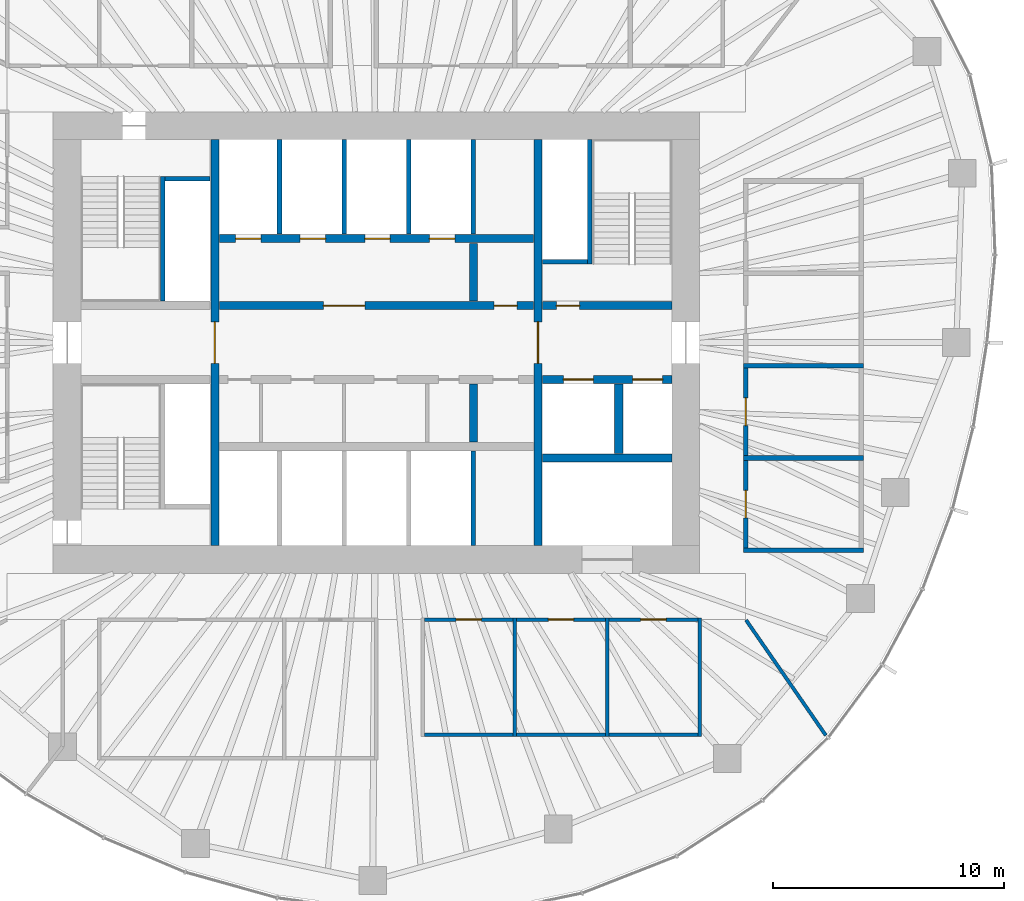
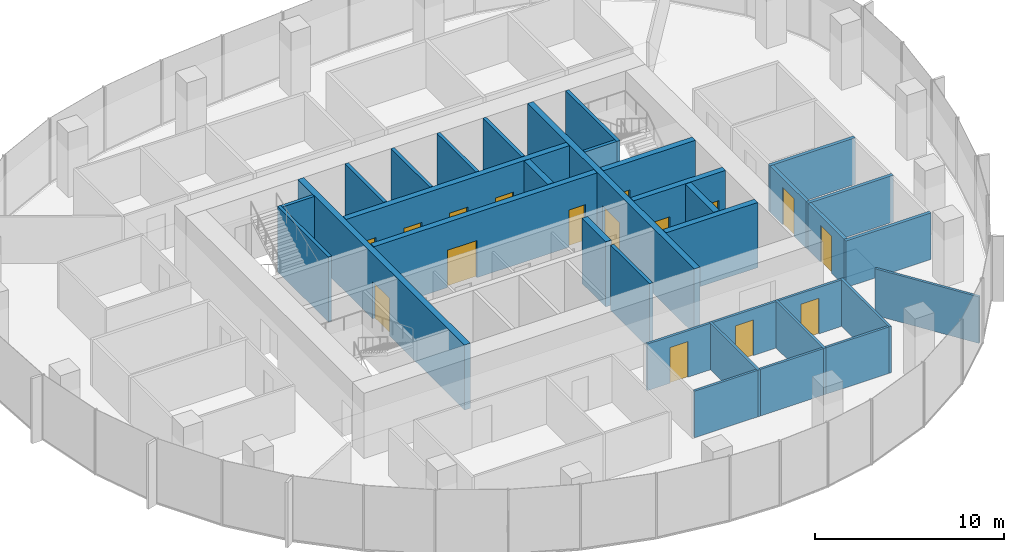
# One storey, part 9 of 12: 34 walls, 16 doors, 16 openings.
"""IFC4 building model written with IfcOpenShell, lengths in metres."""

from ifc_helpers import new_model, si_unit, direction, frame, frame_2d, origin, place, context, subcontext, project, spatial, rectangle, extrude, material, layer, layer_set, type_object, element, fill, save


model = new_model("IFC4")

# Units and contexts
model_context = context("Model", 3, precision=1e-05, world=origin(), true_north=direction((0.0, 1.0)))
body_context = subcontext(model_context, "Body", "Model", "MODEL_VIEW")
ifc_project = project(units=[si_unit("LENGTHUNIT", "METRE"), si_unit("AREAUNIT", "SQUARE_METRE"), si_unit("VOLUMEUNIT", "CUBIC_METRE"), si_unit("PLANEANGLEUNIT", "RADIAN"), si_unit("MASSUNIT", "GRAM", prefix="KILO")], contexts=[model_context])

# Site, building, storey
site_placement = place(None, origin())
site = spatial("IfcSite", under=ifc_project, at=site_placement, CompositionType="ELEMENT")
building_placement = place(site_placement, origin())
building = spatial("IfcBuilding", under=site, at=building_placement, Name="Ghaith Harvest Tower", CompositionType="ELEMENT")
storey_placement = place(building_placement, frame((0.0, 0.0, 232.60009765625)))
storey = spatial("IfcBuildingStorey", under=building, at=storey_placement, Name="L51", CompositionType="ELEMENT", Elevation=232.60009765625)

# Walls
ifc_material_1 = material(Name="Twin-stud gypsum board, acoustic", Category="gypsum")
ifc_layer_1 = layer(ifc_material_1, 0.199951171875)
ifc_layer_set_1 = layer_set([ifc_layer_1], Name="ACOUSTIC PARTITION 200")
wall_type_1 = type_object("IfcWallType", Name="ACOUSTIC PARTITION 200", PredefinedType="PARTITIONING", material=ifc_layer_set_1)
for number, where, z_axis, x_axis, name in (
    (1, (15.89990234375, -9.0, 0.0), (0.0, 0.0, 1.0), (1.0, 0.0, 0.0), "Partition L51 row E5 cross wall 1"),
    (2, (15.89990234375, -5.0, 0.0), (0.0, 0.0, 1.0), (1.0, 0.0, 0.0), "Partition L51 row E5 cross wall 2"),
    (3, (15.89990234375, -1.0, 0.0), (0.0, 0.0, 1.0), (1.0, 0.0, 0.0), "Partition L51 row E5 cross wall 3"),
):
    element("IfcWall", number, at=place(storey_placement, frame(where, z_axis=z_axis, x_axis=x_axis)), inside=storey, type_object=wall_type_1, Name=name, PredefinedType="PARTITIONING", context=body_context, shape_type="SweptSolid", body=[
        extrude(rectangle(XDim=5.2001953125, YDim=0.199951171875, at=frame_2d((2.60009765625, 0.0))), origin(), (0.0, 0.0, 1.0), 3.0),
    ])

# Wall, opening, door
wall_1_placement = place(storey_placement, frame((16.0, -8.89990234375, 0.0), z_axis=(0.0, 0.0, 1.0), x_axis=(0.0, 1.0, 0.0)))
wall_1 = element("IfcWall", 4, at=wall_1_placement, inside=storey, type_object=wall_type_1, Name="Partition L51-12", PredefinedType="PARTITIONING", context=body_context, shape_type="SweptSolid", body=[
    extrude(rectangle(XDim=3.7998046875, YDim=0.199951171875, at=frame_2d((1.89990234375, 0.0))), origin(), (0.0, 0.0, 1.0), 3.0),
])
opening_1_placement = place(wall_1_placement, frame((1.300048828125, 0.0, 0.0)))
opening_1 = element("IfcOpeningElement", 5, at=opening_1_placement, cuts=wall_1, Name="Opening 51-033", PredefinedType="OPENING", context=body_context, shape_type="SweptSolid", body=[
    extrude(rectangle(XDim=1.199951171875, YDim=2.39990234375, at=frame_2d((0.60009765625, 1.199951171875))), frame((0.0, 0.10986328125, 0.0), z_axis=(0.0, -1.0, 0.0), x_axis=(1.0, 0.0, 0.0)), (0.0, 0.0, 1.0), 0.219970703125),
])
ifc_material_2 = material(Name="Timber door", Category="wood")
door_type_1 = type_object("IfcDoorType", Name="D11 GLAZED 1200x2400", OperationType="SINGLE_SWING_LEFT", PredefinedType="DOOR", material=ifc_material_2)
door_1_placement = place(opening_1_placement, origin())
door_1 = element("IfcDoor", 6, at=door_1_placement, inside=storey, type_object=door_type_1, Name="Meeting room door", OperationType="SINGLE_SWING_LEFT", OverallHeight=2.39990234375, OverallWidth=1.199951171875, PredefinedType="DOOR", context=body_context, shape_type="SweptSolid", body=[
    extrude(rectangle(XDim=1.199951171875, YDim=2.39990234375, at=frame_2d((0.60009765625, 1.199951171875))), frame((0.0, 0.02490234375, 0.0), z_axis=(0.0, -1.0, 0.0), x_axis=(1.0, 0.0, 0.0)), (0.0, 0.0, 1.0), 0.050048828125),
])
fill(opening_1, door_1)

wall_2_placement = place(storey_placement, frame((16.0, -4.89990234375, 0.0), z_axis=(0.0, 0.0, 1.0), x_axis=(0.0, 1.0, 0.0)))
wall_2 = element("IfcWall", 7, at=wall_2_placement, inside=storey, type_object=wall_type_1, Name="Partition L51-13", PredefinedType="PARTITIONING", context=body_context, shape_type="SweptSolid", body=[
    extrude(rectangle(XDim=3.7998046875, YDim=0.199951171875, at=frame_2d((1.89990234375, 0.0))), origin(), (0.0, 0.0, 1.0), 3.0),
])
opening_2_placement = place(wall_2_placement, frame((1.300048828125, 0.0, 0.0)))
opening_2 = element("IfcOpeningElement", 8, at=opening_2_placement, cuts=wall_2, Name="Opening 51-034", PredefinedType="OPENING", context=body_context, shape_type="SweptSolid", body=[
    extrude(rectangle(XDim=1.199951171875, YDim=2.39990234375, at=frame_2d((0.60009765625, 1.199951171875))), frame((0.0, 0.10986328125, 0.0), z_axis=(0.0, -1.0, 0.0), x_axis=(1.0, 0.0, 0.0)), (0.0, 0.0, 1.0), 0.219970703125),
])
door_2_placement = place(opening_2_placement, origin())
door_2 = element("IfcDoor", 9, at=door_2_placement, inside=storey, type_object=door_type_1, Name="Meeting room door", OperationType="SINGLE_SWING_LEFT", OverallHeight=2.39990234375, OverallWidth=1.199951171875, PredefinedType="DOOR", context=body_context, shape_type="SweptSolid", body=[
    extrude(rectangle(XDim=1.199951171875, YDim=2.39990234375, at=frame_2d((0.60009765625, 1.199951171875))), frame((0.0, 0.02490234375, 0.0), z_axis=(0.0, -1.0, 0.0), x_axis=(1.0, 0.0, 0.0)), (0.0, 0.0, 1.0), 0.050048828125),
])
fill(opening_2, door_2)

# Walls
ifc_material_3 = material(Name="Concrete blockwork, 2-hour", Category="masonry")
ifc_layer_2 = layer(ifc_material_3, 0.199951171875)
ifc_layer_set_2 = layer_set([ifc_layer_2], Name="LIFT SHAFT WALL 200")
wall_type_2 = type_object("IfcWallType", Name="LIFT SHAFT WALL 200", PredefinedType="PARTITIONING", material=ifc_layer_set_2)
for number, where, z_axis, x_axis, name in (
    (10, (-4.199951171875, 4.699951171875, 0.0), (0.0, 0.0, 1.0), (0.0, 1.0, 0.0), "Lift shaft wall L51"),
    (11, (-1.39990234375, 4.699951171875, 0.0), (0.0, 0.0, 1.0), (0.0, 1.0, 0.0), "Lift shaft wall L51"),
    (12, (1.39990234375, 4.699951171875, 0.0), (0.0, 0.0, 1.0), (0.0, 1.0, 0.0), "Lift shaft wall L51"),
    (13, (4.199951171875, 4.699951171875, 0.0), (0.0, 0.0, 1.0), (0.0, 1.0, 0.0), "Lift shaft wall L51"),
    (14, (4.199951171875, -4.699951171875, 0.0), (0.0, 0.0, 1.0), (0.0, -1.0, 0.0), "Lift shaft wall L51"),
):
    element("IfcWall", number, at=place(storey_placement, frame(where, z_axis=z_axis, x_axis=x_axis)), inside=storey, type_object=wall_type_2, Name=name, PredefinedType="PARTITIONING", context=body_context, shape_type="SweptSolid", body=[
        extrude(rectangle(XDim=4.10009765625, YDim=0.199951171875, at=frame_2d((2.050048828125, 0.0))), origin(), (0.0, 0.0, 1.0), 4.199951171875),
    ])
ifc_material_4 = material(Name="Gypsum board on steel studs", Category="steel")
ifc_layer_3 = layer(ifc_material_4, 0.14990234375)
ifc_layer_set_3 = layer_set([ifc_layer_3], Name="PARTITION 150")
wall_type_3 = type_object("IfcWallType", Name="PARTITION 150", PredefinedType="PARTITIONING", material=ifc_layer_set_3)
for number, where, z_axis, x_axis, name in (
    (15, (6.0, -11.925048828125, 0.0), (0.0, 0.0, 1.0), (0.0, -1.0, 0.0), "Partition L51 row S2 cross wall 2"),
    (16, (10.0, -11.925048828125, 0.0), (0.0, 0.0, 1.0), (0.0, -1.0, 0.0), "Partition L51 row S2 cross wall 3"),
    (17, (14.0, -11.925048828125, 0.0), (0.0, 0.0, 1.0), (0.0, -1.0, 0.0), "Partition L51 row S2 cross wall 4"),
):
    element("IfcWall", number, at=place(storey_placement, frame(where, z_axis=z_axis, x_axis=x_axis)), inside=storey, type_object=wall_type_3, Name=name, PredefinedType="PARTITIONING", context=body_context, shape_type="SweptSolid", body=[
        extrude(rectangle(XDim=5.14990234375, YDim=0.14990234375, at=frame_2d((2.574951171875, 0.0))), origin(), (0.0, 0.0, 1.0), 3.0),
    ])

# Wall, opening, door
wall_3_placement = place(storey_placement, frame((2.074951171875, -12.0, 0.0), z_axis=(0.0, 0.0, 1.0), x_axis=(1.0, 0.0, 0.0)))
wall_3 = element("IfcWall", 18, at=wall_3_placement, inside=storey, type_object=wall_type_3, Name="Partition L51-03", PredefinedType="PARTITIONING", context=body_context, shape_type="SweptSolid", body=[
    extrude(rectangle(XDim=3.85009765625, YDim=0.14990234375, at=frame_2d((1.925048828125, 0.0))), origin(), (0.0, 0.0, 1.0), 3.0),
])
opening_3_placement = place(wall_3_placement, frame((1.375, 0.0, 0.0)))
opening_3 = element("IfcOpeningElement", 19, at=opening_3_placement, cuts=wall_3, Name="Opening 51-024", PredefinedType="OPENING", context=body_context, shape_type="SweptSolid", body=[
    extrude(rectangle(XDim=1.10009765625, YDim=2.300048828125, at=frame_2d((0.550048828125, 1.14990234375))), frame((0.0, 0.0849609375, 0.0), z_axis=(0.0, -1.0, 0.0), x_axis=(1.0, 0.0, 0.0)), (0.0, 0.0, 1.0), 0.169921875),
])
ifc_material_5 = material(Name="Timber-framed glazed door", Category="wood")
door_type_2 = type_object("IfcDoorType", Name="D12 GLAZED OFFICE 1100x2300", OperationType="SINGLE_SWING_LEFT", PredefinedType="DOOR", material=ifc_material_5)
door_3_placement = place(opening_3_placement, origin())
door_3 = element("IfcDoor", 20, at=door_3_placement, inside=storey, type_object=door_type_2, Name="Office door", OperationType="SINGLE_SWING_LEFT", OverallHeight=2.300048828125, OverallWidth=1.10009765625, PredefinedType="DOOR", context=body_context, shape_type="SweptSolid", body=[
    extrude(rectangle(XDim=1.10009765625, YDim=2.300048828125, at=frame_2d((0.550048828125, 1.14990234375))), frame((0.0, 0.02490234375, 0.0), z_axis=(0.0, -1.0, 0.0), x_axis=(1.0, 0.0, 0.0)), (0.0, 0.0, 1.0), 0.050048828125),
])
fill(opening_3, door_3)

# Wall
wall_4_placement = place(storey_placement, frame((2.074951171875, -17.0, 0.0), z_axis=(0.0, 0.0, 1.0), x_axis=(1.0, 0.0, 0.0)))
element("IfcWall", 21, at=wall_4_placement, inside=storey, type_object=wall_type_3, Name="Partition L51-03", PredefinedType="PARTITIONING", context=body_context, shape_type="SweptSolid", body=[
    extrude(rectangle(XDim=3.85009765625, YDim=0.14990234375, at=frame_2d((1.925048828125, 0.0))), origin(), (0.0, 0.0, 1.0), 3.0),
])

# Wall, opening, door
wall_5_placement = place(storey_placement, frame((6.074951171875, -12.0, 0.0), z_axis=(0.0, 0.0, 1.0), x_axis=(1.0, 0.0, 0.0)))
wall_5 = element("IfcWall", 22, at=wall_5_placement, inside=storey, type_object=wall_type_3, Name="Partition L51-04", PredefinedType="PARTITIONING", context=body_context, shape_type="SweptSolid", body=[
    extrude(rectangle(XDim=3.85009765625, YDim=0.14990234375, at=frame_2d((1.925048828125, 0.0))), origin(), (0.0, 0.0, 1.0), 3.0),
])
opening_4_placement = place(wall_5_placement, frame((1.375, 0.0, 0.0)))
opening_4 = element("IfcOpeningElement", 23, at=opening_4_placement, cuts=wall_5, Name="Opening 51-025", PredefinedType="OPENING", context=body_context, shape_type="SweptSolid", body=[
    extrude(rectangle(XDim=1.10009765625, YDim=2.300048828125, at=frame_2d((0.550048828125, 1.14990234375))), frame((0.0, 0.0849609375, 0.0), z_axis=(0.0, -1.0, 0.0), x_axis=(1.0, 0.0, 0.0)), (0.0, 0.0, 1.0), 0.169921875),
])
door_4_placement = place(opening_4_placement, origin())
door_4 = element("IfcDoor", 24, at=door_4_placement, inside=storey, type_object=door_type_2, Name="Office door", OperationType="SINGLE_SWING_LEFT", OverallHeight=2.300048828125, OverallWidth=1.10009765625, PredefinedType="DOOR", context=body_context, shape_type="SweptSolid", body=[
    extrude(rectangle(XDim=1.10009765625, YDim=2.300048828125, at=frame_2d((0.550048828125, 1.14990234375))), frame((0.0, 0.02490234375, 0.0), z_axis=(0.0, -1.0, 0.0), x_axis=(1.0, 0.0, 0.0)), (0.0, 0.0, 1.0), 0.050048828125),
])
fill(opening_4, door_4)

# Wall
wall_6_placement = place(storey_placement, frame((6.074951171875, -17.0, 0.0), z_axis=(0.0, 0.0, 1.0), x_axis=(1.0, 0.0, 0.0)))
element("IfcWall", 25, at=wall_6_placement, inside=storey, type_object=wall_type_3, Name="Partition L51-04", PredefinedType="PARTITIONING", context=body_context, shape_type="SweptSolid", body=[
    extrude(rectangle(XDim=3.85009765625, YDim=0.14990234375, at=frame_2d((1.925048828125, 0.0))), origin(), (0.0, 0.0, 1.0), 3.0),
])

# Wall, opening, door
wall_7_placement = place(storey_placement, frame((10.074951171875, -12.0, 0.0), z_axis=(0.0, 0.0, 1.0), x_axis=(1.0, 0.0, 0.0)))
wall_7 = element("IfcWall", 26, at=wall_7_placement, inside=storey, type_object=wall_type_3, Name="Partition L51-05", PredefinedType="PARTITIONING", context=body_context, shape_type="SweptSolid", body=[
    extrude(rectangle(XDim=3.85009765625, YDim=0.14990234375, at=frame_2d((1.925048828125, 0.0))), origin(), (0.0, 0.0, 1.0), 3.0),
])
opening_5_placement = place(wall_7_placement, frame((1.375, 0.0, 0.0)))
opening_5 = element("IfcOpeningElement", 27, at=opening_5_placement, cuts=wall_7, Name="Opening 51-026", PredefinedType="OPENING", context=body_context, shape_type="SweptSolid", body=[
    extrude(rectangle(XDim=1.10009765625, YDim=2.300048828125, at=frame_2d((0.550048828125, 1.14990234375))), frame((0.0, 0.0849609375, 0.0), z_axis=(0.0, -1.0, 0.0), x_axis=(1.0, 0.0, 0.0)), (0.0, 0.0, 1.0), 0.169921875),
])
door_5_placement = place(opening_5_placement, origin())
door_5 = element("IfcDoor", 28, at=door_5_placement, inside=storey, type_object=door_type_2, Name="Office door", OperationType="SINGLE_SWING_LEFT", OverallHeight=2.300048828125, OverallWidth=1.10009765625, PredefinedType="DOOR", context=body_context, shape_type="SweptSolid", body=[
    extrude(rectangle(XDim=1.10009765625, YDim=2.300048828125, at=frame_2d((0.550048828125, 1.14990234375))), frame((0.0, 0.02490234375, 0.0), z_axis=(0.0, -1.0, 0.0), x_axis=(1.0, 0.0, 0.0)), (0.0, 0.0, 1.0), 0.050048828125),
])
fill(opening_5, door_5)

# Walls
wall_8_placement = place(storey_placement, frame((10.074951171875, -17.0, 0.0), z_axis=(0.0, 0.0, 1.0), x_axis=(1.0, 0.0, 0.0)))
element("IfcWall", 29, at=wall_8_placement, inside=storey, type_object=wall_type_3, Name="Partition L51-05", PredefinedType="PARTITIONING", context=body_context, shape_type="SweptSolid", body=[
    extrude(rectangle(XDim=3.85009765625, YDim=0.14990234375, at=frame_2d((1.925048828125, 0.0))), origin(), (0.0, 0.0, 1.0), 3.0),
])
wall_9_placement = place(storey_placement, frame((16.011474609375, -12.016357421875, 0.0), z_axis=(0.0, 0.0, 1.0), x_axis=(0.568863489071, -0.822431961199, 0.0)))
element("IfcWall", 30, at=wall_9_placement, inside=storey, type_object=wall_type_3, Name="Partition L51 zone division", PredefinedType="PARTITIONING", context=body_context, shape_type="SweptSolid", body=[
    extrude(rectangle(XDim=6.0830078125, YDim=0.14990234375, at=frame_2d((3.04150390625, 0.0))), origin(), (0.0, 0.0, 1.0), 3.0),
])

# Wall, opening, door
ifc_material_6 = material(Name="Concrete C60/75", Category="concrete")
ifc_layer_4 = layer(ifc_material_6, 0.35009765625)
ifc_layer_set_4 = layer_set([ifc_layer_4], Name="SHAFT WALL 350")
wall_type_4 = type_object("IfcWallType", Name="SHAFT WALL 350", PredefinedType="SHEAR", material=ifc_layer_set_4)
wall_10_placement = place(storey_placement, frame((-7.0, -8.800048828125, 0.0), z_axis=(0.0, 0.0, 1.0), x_axis=(0.0, 1.0, 0.0)))
wall_10 = element("IfcWall", 31, at=wall_10_placement, inside=storey, type_object=wall_type_4, Name="Shaft wall W7W L51", PredefinedType="SHEAR", context=body_context, shape_type="SweptSolid", body=[
    extrude(rectangle(XDim=17.60009765625, YDim=0.35009765625, at=frame_2d((8.800048828125, 0.0))), origin(), (0.0, 0.0, 1.0), 4.199951171875),
])
opening_6_placement = place(wall_10_placement, frame((7.89990234375, 0.0, 0.0)))
opening_6 = element("IfcOpeningElement", 32, at=opening_6_placement, cuts=wall_10, Name="Opening 51-003", PredefinedType="OPENING", context=body_context, shape_type="SweptSolid", body=[
    extrude(rectangle(XDim=1.800048828125, YDim=2.39990234375, at=frame_2d((0.89990234375, 1.199951171875))), frame((0.0, 0.18505859375, 0.0), z_axis=(0.0, -1.0, 0.0), x_axis=(1.0, 0.0, 0.0)), (0.0, 0.0, 1.0), 0.3701171875),
])
ifc_material_7 = material(Name="Steel fire door", Category="steel")
door_type_3 = type_object("IfcDoorType", Name="D4 FD90 PAIR 1800x2400", OperationType="DOUBLE_DOOR_SINGLE_SWING", PredefinedType="DOOR", material=ifc_material_7)
door_6_placement = place(opening_6_placement, origin())
door_6 = element("IfcDoor", 33, at=door_6_placement, inside=storey, type_object=door_type_3, Name="Lift lobby doors, west", OperationType="DOUBLE_DOOR_SINGLE_SWING", OverallHeight=2.39990234375, OverallWidth=1.800048828125, PredefinedType="DOOR", context=body_context, shape_type="SweptSolid", body=[
    extrude(rectangle(XDim=1.800048828125, YDim=2.39990234375, at=frame_2d((0.89990234375, 1.199951171875))), frame((0.0, 0.02490234375, 0.0), z_axis=(0.0, -1.0, 0.0), x_axis=(1.0, 0.0, 0.0)), (0.0, 0.0, 1.0), 0.050048828125),
])
fill(opening_6, door_6)

wall_11_placement = place(storey_placement, frame((7.0, -8.800048828125, 0.0), z_axis=(0.0, 0.0, 1.0), x_axis=(0.0, 1.0, 0.0)))
wall_11 = element("IfcWall", 34, at=wall_11_placement, inside=storey, type_object=wall_type_4, Name="Shaft wall W7E L51", PredefinedType="SHEAR", context=body_context, shape_type="SweptSolid", body=[
    extrude(rectangle(XDim=17.60009765625, YDim=0.35009765625, at=frame_2d((8.800048828125, 0.0))), origin(), (0.0, 0.0, 1.0), 4.199951171875),
])
opening_7_placement = place(wall_11_placement, frame((7.89990234375, 0.0, 0.0)))
opening_7 = element("IfcOpeningElement", 35, at=opening_7_placement, cuts=wall_11, Name="Opening 51-004", PredefinedType="OPENING", context=body_context, shape_type="SweptSolid", body=[
    extrude(rectangle(XDim=1.800048828125, YDim=2.39990234375, at=frame_2d((0.89990234375, 1.199951171875))), frame((0.0, 0.18505859375, 0.0), z_axis=(0.0, -1.0, 0.0), x_axis=(1.0, 0.0, 0.0)), (0.0, 0.0, 1.0), 0.3701171875),
])
door_7_placement = place(opening_7_placement, origin())
door_7 = element("IfcDoor", 36, at=door_7_placement, inside=storey, type_object=door_type_3, Name="Lift lobby doors, east", OperationType="DOUBLE_DOOR_SINGLE_SWING", OverallHeight=2.39990234375, OverallWidth=1.800048828125, PredefinedType="DOOR", context=body_context, shape_type="SweptSolid", body=[
    extrude(rectangle(XDim=1.800048828125, YDim=2.39990234375, at=frame_2d((0.89990234375, 1.199951171875))), frame((0.0, 0.02490234375, 0.0), z_axis=(0.0, -1.0, 0.0), x_axis=(1.0, 0.0, 0.0)), (0.0, 0.0, 1.0), 0.050048828125),
])
fill(opening_7, door_7)

# Wall, openings, doors
wall_12_placement = place(storey_placement, frame((-6.800048828125, 1.60009765625, 0.0), z_axis=(0.0, 0.0, 1.0), x_axis=(1.0, 0.0, 0.0)))
wall_12 = element("IfcWall", 37, at=wall_12_placement, inside=storey, type_object=wall_type_4, Name="Shaft wall LN L51", PredefinedType="SHEAR", context=body_context, shape_type="SweptSolid", body=[
    extrude(rectangle(XDim=13.60009765625, YDim=0.35009765625, at=frame_2d((6.800048828125, 0.0))), origin(), (0.0, 0.0, 1.0), 4.199951171875),
])
opening_8_placement = place(wall_12_placement, frame((11.89990234375, 0.0, 0.0)))
opening_8 = element("IfcOpeningElement", 38, at=opening_8_placement, cuts=wall_12, Name="Opening 51-012", PredefinedType="OPENING", context=body_context, shape_type="SweptSolid", body=[
    extrude(rectangle(XDim=1.0, YDim=2.39990234375, at=frame_2d((0.5, 1.199951171875))), frame((0.0, 0.18505859375, 0.0), z_axis=(0.0, -1.0, 0.0), x_axis=(1.0, 0.0, 0.0)), (0.0, 0.0, 1.0), 0.3701171875),
])
opening_9_placement = place(wall_12_placement, frame((4.5, 0.0, 0.0)))
opening_9 = element("IfcOpeningElement", 39, at=opening_9_placement, cuts=wall_12, Name="Opening 51-014", PredefinedType="OPENING", context=body_context, shape_type="SweptSolid", body=[
    extrude(rectangle(XDim=1.800048828125, YDim=2.39990234375, at=frame_2d((0.89990234375, 1.199951171875))), frame((0.0, 0.18505859375, 0.0), z_axis=(0.0, -1.0, 0.0), x_axis=(1.0, 0.0, 0.0)), (0.0, 0.0, 1.0), 0.3701171875),
])
ifc_material_8 = material(Name="Steel fire door", Category="steel")
door_type_4 = type_object("IfcDoorType", Name="D3 FD90 1000x2400", OperationType="SINGLE_SWING_LEFT", PredefinedType="DOOR", material=ifc_material_8)
door_8_placement = place(opening_8_placement, origin())
door_8 = element("IfcDoor", 40, at=door_8_placement, inside=storey, type_object=door_type_4, Name="Electrical room door", OperationType="SINGLE_SWING_RIGHT", OverallHeight=2.39990234375, OverallWidth=1.0, PredefinedType="DOOR", context=body_context, shape_type="SweptSolid", body=[
    extrude(rectangle(XDim=1.0, YDim=2.39990234375, at=frame_2d((0.5, 1.199951171875))), frame((0.0, 0.02490234375, 0.0), z_axis=(0.0, -1.0, 0.0), x_axis=(1.0, 0.0, 0.0)), (0.0, 0.0, 1.0), 0.050048828125),
])
fill(opening_8, door_8)
door_9_placement = place(opening_9_placement, origin())
door_9 = element("IfcDoor", 41, at=door_9_placement, inside=storey, type_object=door_type_3, Name="Lift lobby doors, high-rise bank", OperationType="DOUBLE_DOOR_SINGLE_SWING", OverallHeight=2.39990234375, OverallWidth=1.800048828125, PredefinedType="DOOR", context=body_context, shape_type="SweptSolid", body=[
    extrude(rectangle(XDim=1.800048828125, YDim=2.39990234375, at=frame_2d((0.89990234375, 1.199951171875))), frame((0.0, 0.02490234375, 0.0), z_axis=(0.0, -1.0, 0.0), x_axis=(1.0, 0.0, 0.0)), (0.0, 0.0, 1.0), 0.050048828125),
])
fill(opening_9, door_9)

wall_13_placement = place(storey_placement, frame((-6.800048828125, 4.5, 0.0), z_axis=(0.0, 0.0, 1.0), x_axis=(1.0, 0.0, 0.0)))
wall_13 = element("IfcWall", 42, at=wall_13_placement, inside=storey, type_object=wall_type_4, Name="Shaft wall BN L51", PredefinedType="SHEAR", context=body_context, shape_type="SweptSolid", body=[
    extrude(rectangle(XDim=13.60009765625, YDim=0.35009765625, at=frame_2d((6.800048828125, 0.0))), origin(), (0.0, 0.0, 1.0), 4.199951171875),
])
opening_10_placement = place(wall_13_placement, frame((0.699951171875, 0.0, 0.0)))
opening_10 = element("IfcOpeningElement", 43, at=opening_10_placement, cuts=wall_13, Name="Opening 51-015", PredefinedType="OPENING", context=body_context, shape_type="SweptSolid", body=[
    extrude(rectangle(XDim=1.10009765625, YDim=2.39990234375, at=frame_2d((0.550048828125, 1.199951171875))), frame((0.0, 0.18505859375, 0.0), z_axis=(0.0, -1.0, 0.0), x_axis=(1.0, 0.0, 0.0)), (0.0, 0.0, 1.0), 0.3701171875),
])
opening_11_placement = place(wall_13_placement, frame((3.5, 0.0, 0.0)))
opening_11 = element("IfcOpeningElement", 44, at=opening_11_placement, cuts=wall_13, Name="Opening 51-016", PredefinedType="OPENING", context=body_context, shape_type="SweptSolid", body=[
    extrude(rectangle(XDim=1.10009765625, YDim=2.39990234375, at=frame_2d((0.550048828125, 1.199951171875))), frame((0.0, 0.18505859375, 0.0), z_axis=(0.0, -1.0, 0.0), x_axis=(1.0, 0.0, 0.0)), (0.0, 0.0, 1.0), 0.3701171875),
])
opening_12_placement = place(wall_13_placement, frame((6.300048828125, 0.0, 0.0)))
opening_12 = element("IfcOpeningElement", 45, at=opening_12_placement, cuts=wall_13, Name="Opening 51-017", PredefinedType="OPENING", context=body_context, shape_type="SweptSolid", body=[
    extrude(rectangle(XDim=1.10009765625, YDim=2.39990234375, at=frame_2d((0.550048828125, 1.199951171875))), frame((0.0, 0.18505859375, 0.0), z_axis=(0.0, -1.0, 0.0), x_axis=(1.0, 0.0, 0.0)), (0.0, 0.0, 1.0), 0.3701171875),
])
opening_13_placement = place(wall_13_placement, frame((9.10009765625, 0.0, 0.0)))
opening_13 = element("IfcOpeningElement", 46, at=opening_13_placement, cuts=wall_13, Name="Opening 51-018", PredefinedType="OPENING", context=body_context, shape_type="SweptSolid", body=[
    extrude(rectangle(XDim=1.10009765625, YDim=2.39990234375, at=frame_2d((0.550048828125, 1.199951171875))), frame((0.0, 0.18505859375, 0.0), z_axis=(0.0, -1.0, 0.0), x_axis=(1.0, 0.0, 0.0)), (0.0, 0.0, 1.0), 0.3701171875),
])
ifc_material_9 = material(Name="Steel fire door", Category="steel")
door_type_5 = type_object("IfcDoorType", Name="LD1 LANDING 1100x2400", OperationType="DOUBLE_DOOR_SLIDING", PredefinedType="DOOR", material=ifc_material_9)
door_10_placement = place(opening_10_placement, origin())
door_10 = element("IfcDoor", 47, at=door_10_placement, inside=storey, type_object=door_type_5, Name="Landing door, lift HR1", OperationType="DOUBLE_DOOR_SLIDING", OverallHeight=2.39990234375, OverallWidth=1.10009765625, PredefinedType="DOOR", context=body_context, shape_type="SweptSolid", body=[
    extrude(rectangle(XDim=1.10009765625, YDim=2.39990234375, at=frame_2d((0.550048828125, 1.199951171875))), frame((0.0, 0.02490234375, 0.0), z_axis=(0.0, -1.0, 0.0), x_axis=(1.0, 0.0, 0.0)), (0.0, 0.0, 1.0), 0.050048828125),
])
fill(opening_10, door_10)
door_11_placement = place(opening_11_placement, origin())
door_11 = element("IfcDoor", 48, at=door_11_placement, inside=storey, type_object=door_type_5, Name="Landing door, lift HR2", OperationType="DOUBLE_DOOR_SLIDING", OverallHeight=2.39990234375, OverallWidth=1.10009765625, PredefinedType="DOOR", context=body_context, shape_type="SweptSolid", body=[
    extrude(rectangle(XDim=1.10009765625, YDim=2.39990234375, at=frame_2d((0.550048828125, 1.199951171875))), frame((0.0, 0.02490234375, 0.0), z_axis=(0.0, -1.0, 0.0), x_axis=(1.0, 0.0, 0.0)), (0.0, 0.0, 1.0), 0.050048828125),
])
fill(opening_11, door_11)
door_12_placement = place(opening_12_placement, origin())
door_12 = element("IfcDoor", 49, at=door_12_placement, inside=storey, type_object=door_type_5, Name="Landing door, lift HR3", OperationType="DOUBLE_DOOR_SLIDING", OverallHeight=2.39990234375, OverallWidth=1.10009765625, PredefinedType="DOOR", context=body_context, shape_type="SweptSolid", body=[
    extrude(rectangle(XDim=1.10009765625, YDim=2.39990234375, at=frame_2d((0.550048828125, 1.199951171875))), frame((0.0, 0.02490234375, 0.0), z_axis=(0.0, -1.0, 0.0), x_axis=(1.0, 0.0, 0.0)), (0.0, 0.0, 1.0), 0.050048828125),
])
fill(opening_12, door_12)
door_13_placement = place(opening_13_placement, origin())
door_13 = element("IfcDoor", 50, at=door_13_placement, inside=storey, type_object=door_type_5, Name="Landing door, lift HR4", OperationType="DOUBLE_DOOR_SLIDING", OverallHeight=2.39990234375, OverallWidth=1.10009765625, PredefinedType="DOOR", context=body_context, shape_type="SweptSolid", body=[
    extrude(rectangle(XDim=1.10009765625, YDim=2.39990234375, at=frame_2d((0.550048828125, 1.199951171875))), frame((0.0, 0.02490234375, 0.0), z_axis=(0.0, -1.0, 0.0), x_axis=(1.0, 0.0, 0.0)), (0.0, 0.0, 1.0), 0.050048828125),
])
fill(opening_13, door_13)

# Wall, opening, door
wall_14_placement = place(storey_placement, frame((7.199951171875, 1.60009765625, 0.0), z_axis=(0.0, 0.0, 1.0), x_axis=(1.0, 0.0, 0.0)))
wall_14 = element("IfcWall", 51, at=wall_14_placement, inside=storey, type_object=wall_type_4, Name="Shaft wall EN L51", PredefinedType="SHEAR", context=body_context, shape_type="SweptSolid", body=[
    extrude(rectangle(XDim=5.60009765625, YDim=0.35009765625, at=frame_2d((2.800048828125, 0.0))), origin(), (0.0, 0.0, 1.0), 4.199951171875),
])
opening_14_placement = place(wall_14_placement, frame((0.60009765625, 0.0, 0.0)))
opening_14 = element("IfcOpeningElement", 52, at=opening_14_placement, cuts=wall_14, Name="Opening 51-007", PredefinedType="OPENING", context=body_context, shape_type="SweptSolid", body=[
    extrude(rectangle(XDim=1.0, YDim=2.39990234375, at=frame_2d((0.5, 1.199951171875))), frame((0.0, 0.18505859375, 0.0), z_axis=(0.0, -1.0, 0.0), x_axis=(1.0, 0.0, 0.0)), (0.0, 0.0, 1.0), 0.3701171875),
])
door_14_placement = place(opening_14_placement, origin())
door_14 = element("IfcDoor", 53, at=door_14_placement, inside=storey, type_object=door_type_4, Name="Stair ST2 door", OperationType="SINGLE_SWING_LEFT", OverallHeight=2.39990234375, OverallWidth=1.0, PredefinedType="DOOR", context=body_context, shape_type="SweptSolid", body=[
    extrude(rectangle(XDim=1.0, YDim=2.39990234375, at=frame_2d((0.5, 1.199951171875))), frame((0.0, 0.02490234375, 0.0), z_axis=(0.0, -1.0, 0.0), x_axis=(1.0, 0.0, 0.0)), (0.0, 0.0, 1.0), 0.050048828125),
])
fill(opening_14, door_14)

# Wall, openings, doors
wall_15_placement = place(storey_placement, frame((7.199951171875, -1.60009765625, 0.0), z_axis=(0.0, 0.0, 1.0), x_axis=(1.0, 0.0, 0.0)))
wall_15 = element("IfcWall", 54, at=wall_15_placement, inside=storey, type_object=wall_type_4, Name="Shaft wall ES L51", PredefinedType="SHEAR", context=body_context, shape_type="SweptSolid", body=[
    extrude(rectangle(XDim=5.60009765625, YDim=0.35009765625, at=frame_2d((2.800048828125, 0.0))), origin(), (0.0, 0.0, 1.0), 4.199951171875),
])
opening_15_placement = place(wall_15_placement, frame((0.89990234375, 0.0, 0.0)))
opening_15 = element("IfcOpeningElement", 55, at=opening_15_placement, cuts=wall_15, Name="Opening 51-019", PredefinedType="OPENING", context=body_context, shape_type="SweptSolid", body=[
    extrude(rectangle(XDim=1.300048828125, YDim=2.39990234375, at=frame_2d((0.64990234375, 1.199951171875))), frame((0.0, 0.18505859375, 0.0), z_axis=(0.0, -1.0, 0.0), x_axis=(1.0, 0.0, 0.0)), (0.0, 0.0, 1.0), 0.3701171875),
])
opening_16_placement = place(wall_15_placement, frame((3.89990234375, 0.0, 0.0)))
opening_16 = element("IfcOpeningElement", 56, at=opening_16_placement, cuts=wall_15, Name="Opening 51-020", PredefinedType="OPENING", context=body_context, shape_type="SweptSolid", body=[
    extrude(rectangle(XDim=1.300048828125, YDim=2.39990234375, at=frame_2d((0.64990234375, 1.199951171875))), frame((0.0, 0.18505859375, 0.0), z_axis=(0.0, -1.0, 0.0), x_axis=(1.0, 0.0, 0.0)), (0.0, 0.0, 1.0), 0.3701171875),
])
ifc_material_10 = material(Name="Steel fire door", Category="steel")
door_type_6 = type_object("IfcDoorType", Name="LD2 LANDING 1300x2400", OperationType="DOUBLE_DOOR_SLIDING", PredefinedType="DOOR", material=ifc_material_10)
door_15_placement = place(opening_15_placement, origin())
door_15 = element("IfcDoor", 57, at=door_15_placement, inside=storey, type_object=door_type_6, Name="Landing door, fire service lift FL1", OperationType="DOUBLE_DOOR_SLIDING", OverallHeight=2.39990234375, OverallWidth=1.300048828125, PredefinedType="DOOR", context=body_context, shape_type="SweptSolid", body=[
    extrude(rectangle(XDim=1.300048828125, YDim=2.39990234375, at=frame_2d((0.64990234375, 1.199951171875))), frame((0.0, 0.02490234375, 0.0), z_axis=(0.0, -1.0, 0.0), x_axis=(1.0, 0.0, 0.0)), (0.0, 0.0, 1.0), 0.050048828125),
])
fill(opening_15, door_15)
door_16_placement = place(opening_16_placement, origin())
door_16 = element("IfcDoor", 58, at=door_16_placement, inside=storey, type_object=door_type_6, Name="Landing door, fire service lift FL2", OperationType="DOUBLE_DOOR_SLIDING", OverallHeight=2.39990234375, OverallWidth=1.300048828125, PredefinedType="DOOR", context=body_context, shape_type="SweptSolid", body=[
    extrude(rectangle(XDim=1.300048828125, YDim=2.39990234375, at=frame_2d((0.64990234375, 1.199951171875))), frame((0.0, 0.02490234375, 0.0), z_axis=(0.0, -1.0, 0.0), x_axis=(1.0, 0.0, 0.0)), (0.0, 0.0, 1.0), 0.050048828125),
])
fill(opening_16, door_16)

# Walls
wall_16_placement = place(storey_placement, frame((10.5, -4.800048828125, 0.0), z_axis=(0.0, 0.0, 1.0), x_axis=(0.0, 1.0, 0.0)))
element("IfcWall", 59, at=wall_16_placement, inside=storey, type_object=wall_type_4, Name="Shaft wall FLD L51", PredefinedType="SHEAR", context=body_context, shape_type="SweptSolid", body=[
    extrude(rectangle(XDim=3.0, YDim=0.35009765625, at=frame_2d((1.5, 0.0))), origin(), (0.0, 0.0, 1.0), 4.199951171875),
])
wall_17_placement = place(storey_placement, frame((7.199951171875, -5.0, 0.0), z_axis=(0.0, 0.0, 1.0), x_axis=(1.0, 0.0, 0.0)))
element("IfcWall", 60, at=wall_17_placement, inside=storey, type_object=wall_type_4, Name="Shaft wall FLB L51", PredefinedType="SHEAR", context=body_context, shape_type="SweptSolid", body=[
    extrude(rectangle(XDim=5.60009765625, YDim=0.35009765625, at=frame_2d((2.800048828125, 0.0))), origin(), (0.0, 0.0, 1.0), 4.199951171875),
])
for number, where, z_axis, x_axis, name in (
    (61, (4.199951171875, 1.800048828125, 0.0), (0.0, 0.0, 1.0), (0.0, 1.0, 0.0), "Shaft wall DN4 L51"),
    (62, (4.199951171875, -4.300048828125, 0.0), (0.0, 0.0, 1.0), (0.0, 1.0, 0.0), "Shaft wall DS4 L51"),
):
    element("IfcWall", number, at=place(storey_placement, frame(where, z_axis=z_axis, x_axis=x_axis)), inside=storey, type_object=wall_type_4, Name=name, PredefinedType="SHEAR", context=body_context, shape_type="SweptSolid", body=[
        extrude(rectangle(XDim=2.5, YDim=0.35009765625, at=frame_2d((1.25, 0.0))), origin(), (0.0, 0.0, 1.0), 4.199951171875),
    ])
ifc_material_11 = material(Name="Concrete C40/50", Category="concrete")
ifc_layer_5 = layer(ifc_material_11, 0.199951171875)
ifc_layer_set_5 = layer_set([ifc_layer_5], Name="STAIR SPINE WALL RC200")
wall_type_5 = type_object("IfcWallType", Name="STAIR SPINE WALL RC200", PredefinedType="SOLIDWALL", material=ifc_layer_set_5)
wall_18_placement = place(storey_placement, frame((-9.25, 7.199951171875, 0.0), z_axis=(0.0, 0.0, 1.0), x_axis=(0.0, -1.0, 0.0)))
element("IfcWall", 63, at=wall_18_placement, inside=storey, type_object=wall_type_5, Name="Stair ST1 spine wall L51", PredefinedType="SOLIDWALL", context=body_context, shape_type="SweptSolid", body=[
    extrude(rectangle(XDim=5.39990234375, YDim=0.199951171875, at=frame_2d((2.699951171875, 0.0))), origin(), (0.0, 0.0, 1.0), 4.199951171875),
])
wall_19_placement = place(storey_placement, frame((-9.14990234375, 7.10009765625, 0.0), z_axis=(0.0, 0.0, 1.0), x_axis=(1.0, 0.0, 0.0)))
element("IfcWall", 64, at=wall_19_placement, inside=storey, type_object=wall_type_5, Name="Stair ST1 spine wall return L51", PredefinedType="SOLIDWALL", context=body_context, shape_type="SweptSolid", body=[
    extrude(rectangle(XDim=1.949951171875, YDim=0.199951171875, at=frame_2d((0.97509765625, 0.0))), origin(), (0.0, 0.0, 1.0), 4.199951171875),
])
wall_20_placement = place(storey_placement, frame((9.25, 3.39990234375, 0.0), z_axis=(0.0, 0.0, 1.0), x_axis=(0.0, 1.0, 0.0)))
element("IfcWall", 65, at=wall_20_placement, inside=storey, type_object=wall_type_5, Name="Stair ST2 spine wall L51", PredefinedType="SOLIDWALL", context=body_context, shape_type="SweptSolid", body=[
    extrude(rectangle(XDim=5.400146484375, YDim=0.199951171875, at=frame_2d((2.7001953125, 0.0))), origin(), (0.0, 0.0, 1.0), 4.199951171875),
])
wall_21_placement = place(storey_placement, frame((9.14990234375, 3.5, 0.0), z_axis=(0.0, 0.0, 1.0), x_axis=(-1.0, 0.0, 0.0)))
element("IfcWall", 66, at=wall_21_placement, inside=storey, type_object=wall_type_5, Name="Stair ST2 spine wall return L51", PredefinedType="SOLIDWALL", context=body_context, shape_type="SweptSolid", body=[
    extrude(rectangle(XDim=1.949951171875, YDim=0.199951171875, at=frame_2d((0.97509765625, 0.0))), origin(), (0.0, 0.0, 1.0), 4.199951171875),
])

save(model, "model.ifc")
